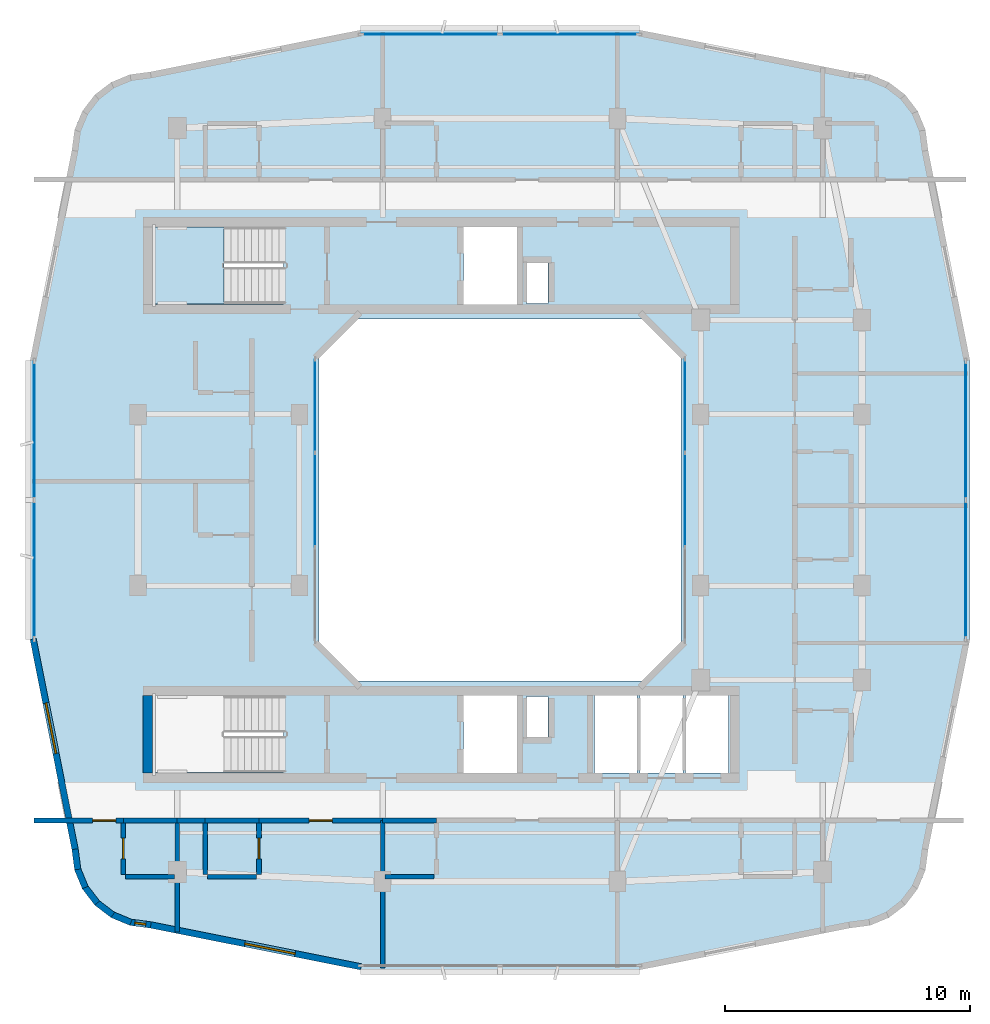
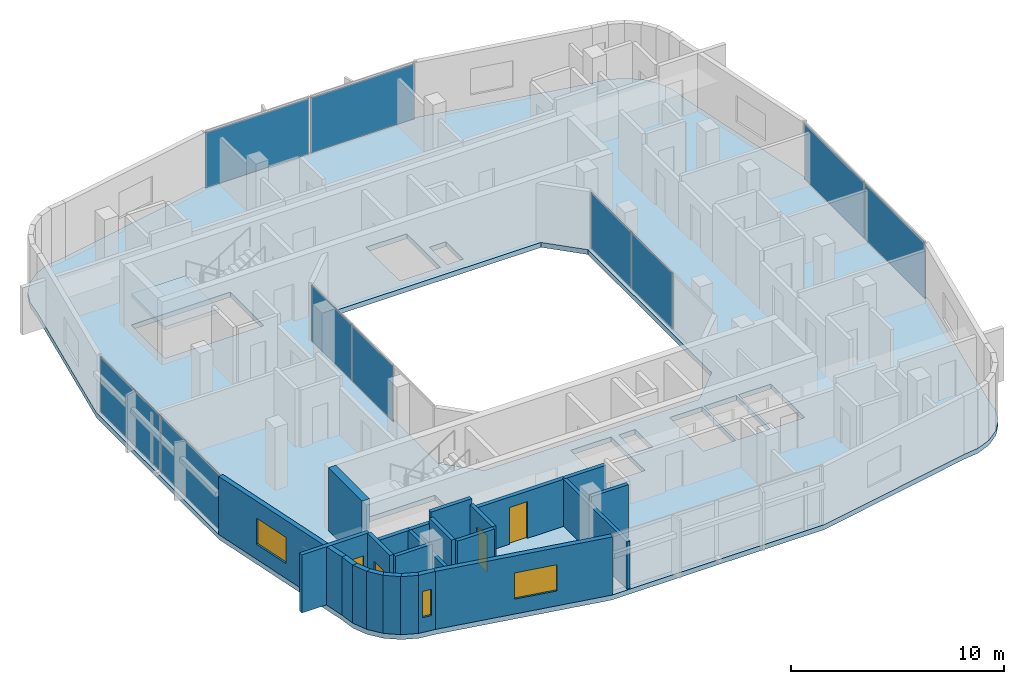
# One storey, part 6 of 14: 23 walls, 10 plates, 4 doors, 3 windows, 2 slabs, 7 openings, 6 elements without a shape of their own.
"""IFC4 building model written with IfcOpenShell, lengths in metres."""

from ifc_helpers import new_model, si_unit, derived_unit, direction, frame, frame_2d, origin, origin_2d, place, context, subcontext, project, spatial, polyline, rectangle, outline, extrude, material, layer, layer_set, type_object, element, fill, aggregate, save


model = new_model("IFC4")

# Units and contexts
model_context = context("Model", 3, precision=1e-05, world=origin(), true_north=direction((0.0, 1.0)))
body_context = subcontext(model_context, "Body", "Model", "MODEL_VIEW")
ifc_project = project(units=[si_unit("LENGTHUNIT", "METRE"), si_unit("AREAUNIT", "SQUARE_METRE"), si_unit("VOLUMEUNIT", "CUBIC_METRE"), si_unit("PLANEANGLEUNIT", "RADIAN"), si_unit("MASSUNIT", "GRAM", prefix="KILO"), derived_unit("THERMALTRANSMITTANCEUNIT", [(si_unit("POWERUNIT", "WATT"), 1), (si_unit("LENGTHUNIT", "METRE"), -2), (si_unit("THERMODYNAMICTEMPERATUREUNIT", "KELVIN"), -1)])], contexts=[model_context])

# Site, building, storey
site_placement = place(None, origin())
site = spatial("IfcSite", under=ifc_project, at=site_placement, CompositionType="ELEMENT")
building_placement = place(site_placement, origin())
building = spatial("IfcBuilding", under=site, at=building_placement, Name="Kivonza Crest Hotel", CompositionType="ELEMENT")
storey_placement = place(building_placement, frame((0.0, 0.0, 224.300048828125)))
storey = spatial("IfcBuildingStorey", under=building, at=storey_placement, Name="L61", CompositionType="ELEMENT", Elevation=224.300048828125)

# Curtain wall, plates
ifc_material_1 = material(Name="Anodised bronze aluminium and low-E double glazing", Category="aluminium")
ifc_layer_1 = layer(ifc_material_1, 0.159912109375)
ifc_layer_set_1 = layer_set([ifc_layer_1], Name="Anodised bronze aluminium and low-E double glazing")
curtain_wall_type_1 = type_object("IfcCurtainWallType", Name="CW-SYS-5", PredefinedType="NOTDEFINED", material=ifc_layer_set_1)
curtain_wall_1_placement = place(storey_placement, origin())
curtain_wall_1 = element("IfcCurtainWall", 1, at=curtain_wall_1_placement, inside=storey, type_object=curtain_wall_type_1, Name="L61 unitised curtain wall CW-WELL-T1-L61-3", PredefinedType="NOTDEFINED")
ifc_material_2 = material(Name="Solar-control low-E double glazing", Category="glass")
ifc_layer_2 = layer(ifc_material_2, 0.028076171875)
ifc_layer_set_2 = layer_set([ifc_layer_2], Name="Solar-control low-E double glazing")
plate_type_1 = type_object("IfcPlateType", Name="CW-PNL-28", PredefinedType="CURTAIN_PANEL", material=ifc_layer_set_2)
plate_1_placement = place(storey_placement, frame((28.56005859375, 25.0, 0.06494140625), z_axis=(0.0, 0.0, 1.0), x_axis=(0.0, 1.0, 0.0)))
plate_1 = element("IfcPlate", 2, at=plate_1_placement, type_object=plate_type_1, Name="CW-5 panel 2.1", PredefinedType="CURTAIN_PANEL", context=body_context, shape_type="SweptSolid", body=[
    extrude(rectangle(XDim=3.8017578125, YDim=0.028076171875, at=origin_2d()), origin(), (0.0, 0.0, 1.0), 3.18994140625),
])
plate_2_placement = place(storey_placement, frame((28.56005859375, 28.850341796875, 0.06494140625), z_axis=(0.0, 0.0, 1.0), x_axis=(0.0, 1.0, 0.0)))
plate_2 = element("IfcPlate", 3, at=plate_2_placement, type_object=plate_type_1, Name="CW-5 panel 3.1", PredefinedType="CURTAIN_PANEL", context=body_context, shape_type="SweptSolid", body=[
    extrude(rectangle(XDim=3.769287109375, YDim=0.028076171875, at=origin_2d()), origin(), (0.0, 0.0, 1.0), 3.18994140625),
])
aggregate(curtain_wall_1, [plate_1, plate_2])

curtain_wall_2_placement = place(storey_placement, origin())
curtain_wall_2 = element("IfcCurtainWall", 4, at=curtain_wall_2_placement, inside=storey, type_object=curtain_wall_type_1, Name="L61 unitised curtain wall CW-WELL-T1-L61-7", PredefinedType="NOTDEFINED")
plate_3_placement = place(storey_placement, frame((13.43994140625, 28.850341796875, 0.06494140625), z_axis=(0.0, 0.0, 1.0), x_axis=(0.0, -1.0, 0.0)))
plate_3 = element("IfcPlate", 5, at=plate_3_placement, type_object=plate_type_1, Name="CW-5 panel 1.1", PredefinedType="CURTAIN_PANEL", context=body_context, shape_type="SweptSolid", body=[
    extrude(rectangle(XDim=3.769287109375, YDim=0.028076171875, at=origin_2d()), origin(), (0.0, 0.0, 1.0), 3.18994140625),
])
plate_4_placement = place(storey_placement, frame((13.43994140625, 25.0, 0.06494140625), z_axis=(0.0, 0.0, 1.0), x_axis=(0.0, -1.0, 0.0)))
plate_4 = element("IfcPlate", 6, at=plate_4_placement, type_object=plate_type_1, Name="CW-5 panel 2.1", PredefinedType="CURTAIN_PANEL", context=body_context, shape_type="SweptSolid", body=[
    extrude(rectangle(XDim=3.8017578125, YDim=0.028076171875, at=origin_2d()), origin(), (0.0, 0.0, 1.0), 3.18994140625),
])
aggregate(curtain_wall_2, [plate_3, plate_4])

ifc_layer_3 = layer(ifc_material_1, 0.179931640625)
ifc_layer_set_3 = layer_set([ifc_layer_3], Name="Anodised bronze aluminium and low-E double glazing")
curtain_wall_type_2 = type_object("IfcCurtainWallType", Name="CW-SYS-3", PredefinedType="NOTDEFINED", material=ifc_layer_set_3)
curtain_wall_3_placement = place(storey_placement, origin())
curtain_wall_3 = element("IfcCurtainWall", 7, at=curtain_wall_3_placement, inside=storey, type_object=curtain_wall_type_2, Name="L61 unitised curtain wall CW-T1-L61-17", PredefinedType="NOTDEFINED")
ifc_material_3 = material(Name="Acoustic triple-laminated low-E glazing", Category="glass")
ifc_layer_4 = layer(ifc_material_3, 0.035888671875)
ifc_layer_set_4 = layer_set([ifc_layer_4], Name="Acoustic triple-laminated low-E glazing")
plate_type_2 = type_object("IfcPlateType", Name="CW-PNL-36", PredefinedType="CURTAIN_PANEL", material=ifc_layer_set_4)
plate_5_placement = place(storey_placement, frame((40.0400390625, 22.15869140625, 0.074951171875), z_axis=(0.0, 0.0, 1.0), x_axis=(0.0, 1.0, 0.0)))
plate_5 = element("IfcPlate", 8, at=plate_5_placement, type_object=plate_type_2, Name="CW-3 panel 1.1", PredefinedType="CURTAIN_PANEL", context=body_context, shape_type="SweptSolid", body=[
    extrude(rectangle(XDim=5.607421875, YDim=0.035888671875, at=origin_2d()), origin(), (0.0, 0.0, 1.0), 3.169921875),
])
plate_6_placement = place(storey_placement, frame((40.0400390625, 27.84130859375, 0.074951171875), z_axis=(0.0, 0.0, 1.0), x_axis=(0.0, 1.0, 0.0)))
plate_6 = element("IfcPlate", 9, at=plate_6_placement, type_object=plate_type_2, Name="CW-3 panel 2.1", PredefinedType="CURTAIN_PANEL", context=body_context, shape_type="SweptSolid", body=[
    extrude(rectangle(XDim=5.607421875, YDim=0.035888671875, at=origin_2d()), origin(), (0.0, 0.0, 1.0), 3.169921875),
])
aggregate(curtain_wall_3, [plate_5, plate_6])

curtain_wall_4_placement = place(storey_placement, origin())
curtain_wall_4 = element("IfcCurtainWall", 10, at=curtain_wall_4_placement, inside=storey, type_object=curtain_wall_type_2, Name="L61 unitised curtain wall CW-T1-L61-26", PredefinedType="NOTDEFINED")
plate_7_placement = place(storey_placement, frame((23.84130859375, 44.0400390625, 0.074951171875), z_axis=(0.0, 0.0, 1.0), x_axis=(-1.0, 0.0, 0.0)))
plate_7 = element("IfcPlate", 11, at=plate_7_placement, type_object=plate_type_2, Name="CW-3 panel 1.1", PredefinedType="CURTAIN_PANEL", context=body_context, shape_type="SweptSolid", body=[
    extrude(rectangle(XDim=5.607421875, YDim=0.035888671875, at=origin_2d()), origin(), (0.0, 0.0, 1.0), 3.169921875),
])
plate_8_placement = place(storey_placement, frame((18.15869140625, 44.0400390625, 0.074951171875), z_axis=(0.0, 0.0, 1.0), x_axis=(-1.0, 0.0, 0.0)))
plate_8 = element("IfcPlate", 12, at=plate_8_placement, type_object=plate_type_2, Name="CW-3 panel 2.1", PredefinedType="CURTAIN_PANEL", context=body_context, shape_type="SweptSolid", body=[
    extrude(rectangle(XDim=5.607421875, YDim=0.035888671875, at=origin_2d()), origin(), (0.0, 0.0, 1.0), 3.169921875),
])
aggregate(curtain_wall_4, [plate_7, plate_8])

curtain_wall_5_placement = place(storey_placement, origin())
curtain_wall_5 = element("IfcCurtainWall", 13, at=curtain_wall_5_placement, inside=storey, type_object=curtain_wall_type_2, Name="L61 unitised curtain wall CW-T1-L61-35", PredefinedType="NOTDEFINED")
plate_9_placement = place(storey_placement, frame((1.9599609375, 27.84130859375, 0.074951171875), z_axis=(0.0, 0.0, 1.0), x_axis=(0.0, -1.0, 0.0)))
plate_9 = element("IfcPlate", 14, at=plate_9_placement, type_object=plate_type_2, Name="CW-3 panel 1.1", PredefinedType="CURTAIN_PANEL", context=body_context, shape_type="SweptSolid", body=[
    extrude(rectangle(XDim=5.607421875, YDim=0.035888671875, at=origin_2d()), origin(), (0.0, 0.0, 1.0), 3.169921875),
])
plate_10_placement = place(storey_placement, frame((1.9599609375, 22.15869140625, 0.074951171875), z_axis=(0.0, 0.0, 1.0), x_axis=(0.0, -1.0, 0.0)))
plate_10 = element("IfcPlate", 15, at=plate_10_placement, type_object=plate_type_2, Name="CW-3 panel 2.1", PredefinedType="CURTAIN_PANEL", context=body_context, shape_type="SweptSolid", body=[
    extrude(rectangle(XDim=5.607421875, YDim=0.035888671875, at=origin_2d()), origin(), (0.0, 0.0, 1.0), 3.169921875),
])
aggregate(curtain_wall_5, [plate_9, plate_10])

# Slab
ifc_material_4 = material(Name="Concrete C40/50", Category="concrete")
ifc_layer_5 = layer(ifc_material_4, 0.280029296875)
ifc_layer_set_5 = layer_set([ifc_layer_5], Name="Concrete C40/50")
slab_type_1 = type_object("IfcSlabType", Name="SL-HTL-280", PredefinedType="FLOOR", material=ifc_layer_set_5)
slab_1_placement = place(storey_placement, frame((0.0, 0.0, -0.280029296875)))
element("IfcSlab", 16, at=slab_1_placement, inside=storey, type_object=slab_type_1, Name="Tower T1 L61 floor slab", PredefinedType="FLOOR", context=body_context, shape_type="SweptSolid", body=[
    extrude(outline(polyline([(3.5, 10.699951171875), (3.60888671875, 9.8720703125), (3.928955078125, 9.10009765625), (4.43701171875, 8.43701171875), (5.10009765625, 7.928955078125), (5.8720703125, 7.60888671875), (6.699951171875, 7.5), (15.239990234375, 5.800048828125), (26.760009765625, 5.800048828125), (35.300048828125, 7.5), (36.1279296875, 7.60888671875), (36.89990234375, 7.928955078125), (37.56298828125, 8.43701171875), (38.071044921875, 9.10009765625), (38.39111328125, 9.8720703125), (38.5, 10.699951171875), (40.199951171875, 19.239990234375), (40.199951171875, 30.760009765625), (38.5, 39.300048828125), (38.39111328125, 40.1279296875), (38.071044921875, 40.89990234375), (37.56298828125, 41.56298828125), (36.89990234375, 42.071044921875), (36.1279296875, 42.39111328125), (35.300048828125, 42.5), (26.760009765625, 44.199951171875), (15.239990234375, 44.199951171875), (6.699951171875, 42.5), (5.8720703125, 42.39111328125), (5.10009765625, 42.071044921875), (4.43701171875, 41.56298828125), (3.928955078125, 40.89990234375), (3.60888671875, 40.1279296875), (3.5, 39.300048828125), (1.800048828125, 30.760009765625), (1.800048828125, 19.239990234375), (3.5, 10.699951171875)]), holes=[polyline([(15.199951171875, 17.60009765625), (26.800048828125, 17.60009765625), (28.39990234375, 19.199951171875), (28.39990234375, 30.800048828125), (26.800048828125, 32.39990234375), (15.199951171875, 32.39990234375), (13.60009765625, 30.800048828125), (13.60009765625, 19.199951171875), (15.199951171875, 17.60009765625)]), polyline([(6.800048828125, 33.02001953125), (12.159912109375, 33.02001953125), (12.159912109375, 36.159912109375), (6.800048828125, 36.159912109375), (6.800048828125, 33.02001953125)]), polyline([(6.800048828125, 13.860107421875), (12.159912109375, 13.860107421875), (12.159912109375, 17.0), (6.800048828125, 17.0), (6.800048828125, 13.860107421875)]), polyline([(22.080078125, 33.0400390625), (22.969970703125, 33.0400390625), (22.969970703125, 34.679931640625), (22.080078125, 34.679931640625), (22.080078125, 33.0400390625)]), polyline([(22.080078125, 15.320068359375), (22.969970703125, 15.320068359375), (22.969970703125, 16.9599609375), (22.080078125, 16.9599609375), (22.080078125, 15.320068359375)]), polyline([(19.5, 33.0), (21.699951171875, 33.0), (21.699951171875, 36.159912109375), (19.5, 36.159912109375), (19.5, 33.0)]), polyline([(19.5, 13.840087890625), (21.699951171875, 13.840087890625), (21.699951171875, 17.0), (19.5, 17.0), (19.5, 13.840087890625)]), polyline([(24.860107421875, 13.840087890625), (26.60693359375, 13.840087890625), (26.60693359375, 17.0), (24.860107421875, 17.0), (24.860107421875, 13.840087890625)]), polyline([(26.72705078125, 13.840087890625), (28.472900390625, 13.840087890625), (28.472900390625, 17.0), (26.72705078125, 17.0), (26.72705078125, 13.840087890625)]), polyline([(28.593017578125, 13.840087890625), (30.340087890625, 13.840087890625), (30.340087890625, 17.0), (28.593017578125, 17.0), (28.593017578125, 13.840087890625)])]), origin(), (0.0, 0.0, 1.0), 0.280029296875),
])

# Stair, slab
stair_type = type_object("IfcStairType", Name="ST-DL-20R", PredefinedType="HALF_TURN_STAIR", material=ifc_material_4)
stair_placement = place(storey_placement, origin())
stair = element("IfcStair", 17, at=stair_placement, inside=storey, type_object=stair_type, Name="L61 Protected Exit Stair ST-T1-N", PredefinedType="HALF_TURN_STAIR")
ifc_layer_6 = layer(ifc_material_4, 0.199951171875)
ifc_layer_set_6 = layer_set([ifc_layer_6], Name="Concrete C40/50")
slab_type_2 = type_object("IfcSlabType", Name="SL-LAND-200", PredefinedType="LANDING", material=ifc_layer_set_6)
slab_2_placement = place(storey_placement, frame((0.0, 0.0, 1.599853515625)))
slab_2 = element("IfcSlab", 18, at=slab_2_placement, type_object=slab_type_2, Name="ST-T1-N landing 1", PredefinedType="LANDING", context=body_context, shape_type="SweptSolid", body=[
    extrude(outline(polyline([(9.719970703125, 36.159912109375), (6.800048828125, 36.159912109375), (6.800048828125, 33.02001953125), (9.719970703125, 33.02001953125), (9.719970703125, 36.159912109375)])), origin(), (0.0, 0.0, 1.0), 0.2001953125),
])
aggregate(stair, [slab_2])

# Walls
ifc_material_5 = material(Name="High-density acoustic masonry inter-tenancy wall", Category="masonry")
ifc_layer_7 = layer(ifc_material_5, 0.179931640625)
ifc_layer_set_7 = layer_set([ifc_layer_7], Name="High-density acoustic masonry inter-tenancy wall")
wall_type_1 = type_object("IfcWallType", Name="WL-ACOU-180", PredefinedType="SOLIDWALL", material=ifc_layer_set_7)
wall_1_placement = place(storey_placement, frame((7.800048828125, 7.342041015625, 0.0), z_axis=(0.0, 0.0, 1.0), x_axis=(0.0, 1.0, 0.0)))
element("IfcWall", 19, at=wall_1_placement, inside=storey, type_object=wall_type_1, Name="L61 interior partition WA-L61-T1S-DIV1", PredefinedType="SOLIDWALL", context=body_context, shape_type="SweptSolid", body=[
    extrude(rectangle(XDim=4.557861328125, YDim=0.179931640625, at=frame_2d((2.27880859375, 0.0))), origin(), (0.0, 0.0, 1.0), 2.695068359375),
])
wall_2_placement = place(storey_placement, frame((16.199951171875, 5.860107421875, 0.0), z_axis=(0.0, 0.0, 1.0), x_axis=(0.0, 1.0, 0.0)))
element("IfcWall", 20, at=wall_2_placement, inside=storey, type_object=wall_type_1, Name="L61 interior partition WA-L61-T1S-DIV2", PredefinedType="SOLIDWALL", context=body_context, shape_type="SweptSolid", body=[
    extrude(rectangle(XDim=6.039794921875, YDim=0.179931640625, at=frame_2d((3.02001953125, 0.0))), origin(), (0.0, 0.0, 1.0), 2.695068359375),
])
ifc_material_6 = material(Name="Autoclaved aerated concrete blockwork", Category="masonry")
ifc_layer_8 = layer(ifc_material_6, 0.219970703125)
ifc_layer_set_8 = layer_set([ifc_layer_8], Name="Autoclaved aerated concrete blockwork")
wall_type_2 = type_object("IfcWallType", Name="WL-ACOU-220", PredefinedType="SOLIDWALL", material=ifc_layer_set_8)
wall_3_placement = place(storey_placement, frame((5.60009765625, 11.89990234375, 0.0), z_axis=(0.0, 0.0, 1.0), x_axis=(1.0, 0.0, 0.0)))
element("IfcWall", 21, at=wall_3_placement, inside=storey, type_object=wall_type_2, Name="L61 interior partition WA-L61-S05-BCORR", PredefinedType="SOLIDWALL", context=body_context, shape_type="SweptSolid", body=[
    extrude(rectangle(XDim=2.199951171875, YDim=0.219970703125, at=frame_2d((1.10009765625, 0.0))), origin(), (0.0, 0.0, 1.0), 2.695068359375),
])

# Wall, opening, door
wall_4_placement = place(storey_placement, frame((1.9599609375, 11.89990234375, 0.0), z_axis=(0.0, 0.0, 1.0), x_axis=(1.0, 0.0, 0.0)))
wall_4 = element("IfcWall", 22, at=wall_4_placement, inside=storey, type_object=wall_type_2, Name="L61 interior partition WA-L61-S05-MCORR", PredefinedType="SOLIDWALL", context=body_context, shape_type="SweptSolid", body=[
    extrude(rectangle(XDim=3.64013671875, YDim=0.219970703125, at=frame_2d((1.820068359375, 0.0))), origin(), (0.0, 0.0, 1.0), 3.320068359375),
])
opening_1_placement = place(wall_4_placement, frame((2.389892578125, 0.0, 0.0)))
opening_1 = element("IfcOpeningElement", 23, at=opening_1_placement, cuts=wall_4, Name="Opening DU-60", PredefinedType="OPENING", context=body_context, shape_type="SweptSolid", body=[
    extrude(rectangle(XDim=0.949951171875, YDim=2.10009765625, at=frame_2d((0.47509765625, 1.050048828125))), frame((0.0, 0.1201171875, 0.0), z_axis=(0.0, -1.0, 0.0), x_axis=(1.0, 0.0, 0.0)), (0.0, 0.0, 1.0), 0.239990234375),
])
ifc_material_7 = material(Name="Hardwood timber oak", Category="wood")
door_type_1 = type_object("IfcDoorType", Name="DR-UNIT-950", OperationType="NOTDEFINED", PredefinedType="DOOR", material=ifc_material_7)
door_1_placement = place(opening_1_placement, frame((0.949951171875, 0.0, 0.0), z_axis=(0.0, 0.0, 1.0), x_axis=(-1.0, 0.0, 0.0)))
door_1 = element("IfcDoor", 24, at=door_1_placement, inside=storey, type_object=door_type_1, Name="L61 S05 guest unit entrance fire door", OperationType="SINGLE_SWING_LEFT", OverallHeight=2.10009765625, OverallWidth=0.949951171875, PredefinedType="DOOR", context=body_context, shape_type="SweptSolid", body=[
    extrude(rectangle(XDim=0.949951171875, YDim=2.10009765625, at=frame_2d((0.47509765625, 1.050048828125))), frame((0.0, 0.02490234375, 0.0), z_axis=(0.0, -1.0, 0.0), x_axis=(1.0, 0.0, 0.0)), (0.0, 0.0, 1.0), 0.050048828125),
])
fill(opening_1, door_1)

# Walls
wall_5_placement = place(storey_placement, frame((7.800048828125, 11.89990234375, 0.0), z_axis=(0.0, 0.0, 1.0), x_axis=(1.0, 0.0, 0.0)))
element("IfcWall", 25, at=wall_5_placement, inside=storey, type_object=wall_type_2, Name="L61 interior partition WA-L61-S06-XCORR", PredefinedType="SOLIDWALL", context=body_context, shape_type="SweptSolid", body=[
    extrude(rectangle(XDim=1.14990234375, YDim=0.219970703125, at=frame_2d((0.574951171875, 0.0))), origin(), (0.0, 0.0, 1.0), 2.695068359375),
])
wall_6_placement = place(storey_placement, frame((8.949951171875, 11.89990234375, 0.0), z_axis=(0.0, 0.0, 1.0), x_axis=(1.0, 0.0, 0.0)))
element("IfcWall", 26, at=wall_6_placement, inside=storey, type_object=wall_type_2, Name="L61 interior partition WA-L61-S06-BCORR", PredefinedType="SOLIDWALL", context=body_context, shape_type="SweptSolid", body=[
    extrude(rectangle(XDim=2.199951171875, YDim=0.219970703125, at=frame_2d((1.10009765625, 0.0))), origin(), (0.0, 0.0, 1.0), 3.320068359375),
])

# Wall, opening, door
wall_7_placement = place(storey_placement, frame((11.14990234375, 11.89990234375, 0.0), z_axis=(0.0, 0.0, 1.0), x_axis=(1.0, 0.0, 0.0)))
wall_7 = element("IfcWall", 27, at=wall_7_placement, inside=storey, type_object=wall_type_2, Name="L61 interior partition WA-L61-S06-MCORR", PredefinedType="SOLIDWALL", context=body_context, shape_type="SweptSolid", body=[
    extrude(rectangle(XDim=5.050048828125, YDim=0.219970703125, at=frame_2d((2.52490234375, 0.0))), origin(), (0.0, 0.0, 1.0), 2.695068359375),
])
opening_2_placement = place(wall_7_placement, frame((2.050048828125, 0.0, 0.0)))
opening_2 = element("IfcOpeningElement", 28, at=opening_2_placement, cuts=wall_7, Name="Opening DU-60", PredefinedType="OPENING", context=body_context, shape_type="SweptSolid", body=[
    extrude(rectangle(XDim=0.949951171875, YDim=2.10009765625, at=frame_2d((0.47509765625, 1.050048828125))), frame((0.0, 0.1201171875, 0.0), z_axis=(0.0, -1.0, 0.0), x_axis=(1.0, 0.0, 0.0)), (0.0, 0.0, 1.0), 0.239990234375),
])
door_2_placement = place(opening_2_placement, frame((0.949951171875, 0.0, 0.0), z_axis=(0.0, 0.0, 1.0), x_axis=(-1.0, 0.0, 0.0)))
door_2 = element("IfcDoor", 29, at=door_2_placement, inside=storey, type_object=door_type_1, Name="L61 S06 guest unit entrance fire door", OperationType="SINGLE_SWING_RIGHT", OverallHeight=2.10009765625, OverallWidth=0.949951171875, PredefinedType="DOOR", context=body_context, shape_type="SweptSolid", body=[
    extrude(rectangle(XDim=0.949951171875, YDim=2.10009765625, at=frame_2d((0.47509765625, 1.050048828125))), frame((0.0, 0.02490234375, 0.0), z_axis=(0.0, -1.0, 0.0), x_axis=(1.0, 0.0, 0.0)), (0.0, 0.0, 1.0), 0.050048828125),
])
fill(opening_2, door_2)

# Walls
wall_8_placement = place(storey_placement, frame((16.199951171875, 11.89990234375, 0.0), z_axis=(0.0, 0.0, 1.0), x_axis=(1.0, 0.0, 0.0)))
element("IfcWall", 30, at=wall_8_placement, inside=storey, type_object=wall_type_2, Name="L61 interior partition WA-L61-S07-BCORR", PredefinedType="SOLIDWALL", context=body_context, shape_type="SweptSolid", body=[
    extrude(rectangle(XDim=2.199951171875, YDim=0.219970703125, at=frame_2d((1.10009765625, 0.0))), origin(), (0.0, 0.0, 1.0), 2.695068359375),
])
ifc_material_8 = material(Name="Concrete C50/60", Category="concrete")
ifc_layer_9 = layer(ifc_material_8, 0.39990234375)
ifc_layer_set_9 = layer_set([ifc_layer_9], Name="Concrete C50/60")
wall_type_3 = type_object("IfcWallType", Name="WL-CORE-400", PredefinedType="SHEAR", material=ifc_layer_set_9)
wall_9_placement = place(storey_placement, frame((6.60009765625, 13.840087890625, 0.0), z_axis=(0.0, 0.0, 1.0), x_axis=(0.0, 1.0, 0.0)))
element("IfcWall", 31, at=wall_9_placement, inside=storey, type_object=wall_type_3, Name="Core wall T1-S West L61", PredefinedType="SHEAR", context=body_context, shape_type="SweptSolid", body=[
    extrude(rectangle(XDim=3.159912109375, YDim=0.39990234375, at=frame_2d((1.580078125, 0.0))), origin(), (0.0, 0.0, 1.0), 3.599853515625),
])
ifc_material_9 = material(Name="Precast concrete C40/50", Category="concrete")
ifc_layer_10 = layer(ifc_material_9, 0.260009765625)
ifc_layer_set_10 = layer_set([ifc_layer_10], Name="Precast concrete C40/50")
wall_type_4 = type_object("IfcWallType", Name="WL-EXT-260", PredefinedType="STANDARD", material=ifc_layer_set_10)
wall_10_placement = place(storey_placement, frame((3.6279296875, 10.72509765625, 0.0), z_axis=(0.0, 0.0, 1.0), x_axis=(0.130954667764, -0.9913883573, 0.0)))
element("IfcWall", 32, at=wall_10_placement, inside=storey, type_object=wall_type_4, Name="L61 T1 exterior insulated wall 1", PredefinedType="STANDARD", context=body_context, shape_type="SweptSolid", body=[
    extrude(rectangle(XDim=0.833251953125, YDim=0.260009765625, at=frame_2d((0.41650390625, 0.0))), origin(), (0.0, 0.0, 1.0), 3.320068359375),
])
wall_11_placement = place(storey_placement, frame((3.718994140625, 9.945068359375, 0.0), z_axis=(0.0, 0.0, 1.0), x_axis=(0.382985169477, -0.923754491172, 0.0)))
element("IfcWall", 33, at=wall_11_placement, inside=storey, type_object=wall_type_4, Name="L61 T1 exterior insulated wall 2", PredefinedType="STANDARD", context=body_context, shape_type="SweptSolid", body=[
    extrude(rectangle(XDim=0.85107421875, YDim=0.260009765625, at=frame_2d((0.425537109375, 0.0))), origin(), (0.0, 0.0, 1.0), 3.320068359375),
])
for number, where, z_axis, x_axis, name in (
    (34, (4.01708984375, 9.198974609375, 0.0), (0.0, 0.0, 1.0), (0.607918988881, -0.793999057278, 0.0), "L61 T1 exterior insulated wall 3"),
    (35, (4.49609375, 8.554931640625, 0.0), (0.0, 0.0, 1.0), (0.793892896323, -0.608057619941, 0.0), "L61 T1 exterior insulated wall 4"),
):
    element("IfcWall", number, at=place(storey_placement, frame(where, z_axis=z_axis, x_axis=x_axis)), inside=storey, type_object=wall_type_4, Name=name, PredefinedType="STANDARD", context=body_context, shape_type="SweptSolid", body=[
        extrude(rectangle(XDim=0.85009765625, YDim=0.260009765625, at=frame_2d((0.425048828125, 0.0))), origin(), (0.0, 0.0, 1.0), 3.320068359375),
    ])
wall_12_placement = place(storey_placement, frame((5.126953125, 8.05908203125, 0.0), z_axis=(0.0, 0.0, 1.0), x_axis=(0.923652976167, -0.383229930484, 0.0)))
element("IfcWall", 36, at=wall_12_placement, inside=storey, type_object=wall_type_4, Name="L61 T1 exterior insulated wall 5", PredefinedType="STANDARD", context=body_context, shape_type="SweptSolid", body=[
    extrude(rectangle(XDim=0.85107421875, YDim=0.260009765625, at=frame_2d((0.425537109375, 0.0))), origin(), (0.0, 0.0, 1.0), 3.320068359375),
])

# Wall, opening, window
wall_13_placement = place(storey_placement, frame((5.864013671875, 7.740966796875, 0.0), z_axis=(0.0, 0.0, 1.0), x_axis=(0.991493480548, -0.130156359936, 0.0)))
wall_13 = element("IfcWall", 37, at=wall_13_placement, inside=storey, type_object=wall_type_4, Name="L61 T1 exterior insulated wall 6", PredefinedType="STANDARD", context=body_context, shape_type="SweptSolid", body=[
    extrude(rectangle(XDim=0.868408203125, YDim=0.260009765625, at=frame_2d((0.43408203125, 0.0))), origin(), (0.0, 0.0, 1.0), 3.320068359375),
])
opening_3_placement = place(wall_13_placement, frame((0.208984375, 0.0, 0.85009765625)))
opening_3 = element("IfcOpeningElement", 38, at=opening_3_placement, cuts=wall_13, Name="Opening WN-11", PredefinedType="OPENING", context=body_context, shape_type="SweptSolid", body=[
    extrude(rectangle(XDim=0.449951171875, YDim=1.5, at=frame_2d((0.22509765625, 0.75))), frame((0.0, 0.14013671875, 0.0), z_axis=(0.0, -1.0, 0.0), x_axis=(1.0, 0.0, 0.0)), (0.0, 0.0, 1.0), 0.280029296875),
])
ifc_material_10 = material(Name="Thermally broken bronze aluminium and low-E double glazing", Category="aluminium")
window_type_1 = type_object("IfcWindowType", Name="WN-045x150", PartitioningType="SINGLE_PANEL", PredefinedType="WINDOW", material=ifc_material_10)
window_1_placement = place(opening_3_placement, origin())
window_1 = element("IfcWindow", 39, at=window_1_placement, inside=storey, type_object=window_type_1, Name="L61 corner vision window 2", OverallHeight=1.5, OverallWidth=0.449951171875, PartitioningType="SINGLE_PANEL", PredefinedType="WINDOW", context=body_context, shape_type="SweptSolid", body=[
    extrude(rectangle(XDim=0.449951171875, YDim=1.5, at=frame_2d((0.22509765625, 0.75))), frame((0.0, 0.030029296875, 0.0), z_axis=(0.0, -1.0, 0.0), x_axis=(1.0, 0.0, 0.0)), (0.0, 0.0, 1.0), 0.06005859375),
])
fill(opening_3, window_1)

wall_14_placement = place(storey_placement, frame((6.717041015625, 7.62890625, 0.0), z_axis=(0.0, 0.0, 1.0), x_axis=(0.980745199176, -0.195291715883, 0.0)))
wall_14 = element("IfcWall", 40, at=wall_14_placement, inside=storey, type_object=wall_type_4, Name="L61 T1 exterior insulated wall 7", PredefinedType="STANDARD", context=body_context, shape_type="SweptSolid", body=[
    extrude(rectangle(XDim=8.77099609375, YDim=0.260009765625, at=frame_2d((4.385498046875, 0.0))), origin(), (0.0, 0.0, 1.0), 3.320068359375),
])
opening_4_placement = place(wall_14_placement, frame((3.925048828125, 0.0, 0.85009765625)))
opening_4 = element("IfcOpeningElement", 41, at=opening_4_placement, cuts=wall_14, Name="Opening WN-04", PredefinedType="OPENING", context=body_context, shape_type="SweptSolid", body=[
    extrude(rectangle(XDim=2.10009765625, YDim=1.5, at=frame_2d((1.050048828125, 0.75))), frame((0.0, 0.14013671875, 0.0), z_axis=(0.0, -1.0, 0.0), x_axis=(1.0, 0.0, 0.0)), (0.0, 0.0, 1.0), 0.280029296875),
])
window_type_2 = type_object("IfcWindowType", Name="WN-210x150", PartitioningType="DOUBLE_PANEL_VERTICAL", PredefinedType="WINDOW", material=ifc_material_10)
window_2_placement = place(opening_4_placement, origin())
window_2 = element("IfcWindow", 42, at=window_2_placement, inside=storey, type_object=window_type_2, Name="L61 T1 facade window 7", OverallHeight=1.5, OverallWidth=2.10009765625, PartitioningType="SINGLE_PANEL", PredefinedType="WINDOW", context=body_context, shape_type="SweptSolid", body=[
    extrude(rectangle(XDim=2.10009765625, YDim=1.5, at=frame_2d((1.050048828125, 0.75))), frame((0.0, 0.030029296875, 0.0), z_axis=(0.0, -1.0, 0.0), x_axis=(1.0, 0.0, 0.0)), (0.0, 0.0, 1.0), 0.06005859375),
])
fill(opening_4, window_2)

wall_15_placement = place(storey_placement, frame((1.916015625, 19.319091796875, 0.0), z_axis=(0.0, 0.0, 1.0), x_axis=(0.195291715883, -0.980745199176, 0.0)))
wall_15 = element("IfcWall", 43, at=wall_15_placement, inside=storey, type_object=wall_type_4, Name="L61 T1 exterior insulated wall 36", PredefinedType="STANDARD", context=body_context, shape_type="SweptSolid", body=[
    extrude(rectangle(XDim=8.77099609375, YDim=0.260009765625, at=frame_2d((4.385498046875, 0.0))), origin(), (0.0, 0.0, 1.0), 3.320068359375),
])
opening_5_placement = place(wall_15_placement, frame((2.669921875, 0.0, 0.85009765625)))
opening_5 = element("IfcOpeningElement", 44, at=opening_5_placement, cuts=wall_15, Name="Opening WN-04", PredefinedType="OPENING", context=body_context, shape_type="SweptSolid", body=[
    extrude(rectangle(XDim=2.10009765625, YDim=1.5, at=frame_2d((1.050048828125, 0.75))), frame((0.0, 0.14013671875, 0.0), z_axis=(0.0, -1.0, 0.0), x_axis=(1.0, 0.0, 0.0)), (0.0, 0.0, 1.0), 0.280029296875),
])
window_3_placement = place(opening_5_placement, origin())
window_3 = element("IfcWindow", 45, at=window_3_placement, inside=storey, type_object=window_type_2, Name="L61 T1 facade window 36", OverallHeight=1.5, OverallWidth=2.10009765625, PartitioningType="SINGLE_PANEL", PredefinedType="WINDOW", context=body_context, shape_type="SweptSolid", body=[
    extrude(rectangle(XDim=2.10009765625, YDim=1.5, at=frame_2d((1.050048828125, 0.75))), frame((0.0, 0.030029296875, 0.0), z_axis=(0.0, -1.0, 0.0), x_axis=(1.0, 0.0, 0.0)), (0.0, 0.0, 1.0), 0.06005859375),
])
fill(opening_5, window_3)

# Wall, opening, door
ifc_material_11 = material(Name="Moisture-resistant plumbing chase partition wall", Category="gypsum")
ifc_layer_11 = layer(ifc_material_11, 0.199951171875)
ifc_layer_set_11 = layer_set([ifc_layer_11], Name="Moisture-resistant plumbing chase partition wall")
wall_type_5 = type_object("IfcWallType", Name="WL-PLUMB-200", PredefinedType="PLUMBINGWALL", material=ifc_layer_set_11)
wall_16_placement = place(storey_placement, frame((5.60009765625, 9.699951171875, 0.0), z_axis=(0.0, 0.0, 1.0), x_axis=(0.0, 1.0, 0.0)))
wall_16 = element("IfcWall", 46, at=wall_16_placement, inside=storey, type_object=wall_type_5, Name="L61 interior partition WW-L61-S05-BV", PredefinedType="PLUMBINGWALL", context=body_context, shape_type="SweptSolid", body=[
    extrude(rectangle(XDim=2.10009765625, YDim=0.199951171875, at=frame_2d((1.050048828125, 0.0))), origin(), (0.0, 0.0, 1.0), 3.320068359375),
])
opening_6_placement = place(wall_16_placement, frame((0.625, 0.0, 0.0)))
opening_6 = element("IfcOpeningElement", 47, at=opening_6_placement, cuts=wall_16, Name="Opening DI-85", PredefinedType="OPENING", context=body_context, shape_type="SweptSolid", body=[
    extrude(rectangle(XDim=0.85009765625, YDim=2.10009765625, at=frame_2d((0.425048828125, 1.050048828125))), frame((0.0, 0.10986328125, 0.0), z_axis=(0.0, -1.0, 0.0), x_axis=(1.0, 0.0, 0.0)), (0.0, 0.0, 1.0), 0.219970703125),
])
door_type_2 = type_object("IfcDoorType", Name="DR-INT-850", OperationType="NOTDEFINED", PredefinedType="DOOR", material=ifc_material_7)
door_3_placement = place(opening_6_placement, origin())
door_3 = element("IfcDoor", 48, at=door_3_placement, inside=storey, type_object=door_type_2, Name="L61 S05 en-suite bathroom door", OperationType="SINGLE_SWING_RIGHT", OverallHeight=2.10009765625, OverallWidth=0.85009765625, PredefinedType="DOOR", context=body_context, shape_type="SweptSolid", body=[
    extrude(rectangle(XDim=0.85009765625, YDim=2.10009765625, at=frame_2d((0.425048828125, 1.050048828125))), frame((0.0, 0.02490234375, 0.0), z_axis=(0.0, -1.0, 0.0), x_axis=(1.0, 0.0, 0.0)), (0.0, 0.0, 1.0), 0.050048828125),
])
fill(opening_6, door_3)

# Wall
wall_17_placement = place(storey_placement, frame((5.699951171875, 9.60009765625, 0.0), z_axis=(0.0, 0.0, 1.0), x_axis=(1.0, 0.0, 0.0)))
element("IfcWall", 49, at=wall_17_placement, inside=storey, type_object=wall_type_5, Name="L61 interior partition WW-L61-S05-BH", PredefinedType="PLUMBINGWALL", context=body_context, shape_type="SweptSolid", body=[
    extrude(rectangle(XDim=2.0, YDim=0.199951171875, at=frame_2d((1.0, 0.0))), origin(), (0.0, 0.0, 1.0), 3.320068359375),
])

# Wall, opening, door
wall_18_placement = place(storey_placement, frame((11.14990234375, 9.699951171875, 0.0), z_axis=(0.0, 0.0, 1.0), x_axis=(0.0, 1.0, 0.0)))
wall_18 = element("IfcWall", 50, at=wall_18_placement, inside=storey, type_object=wall_type_5, Name="L61 interior partition WW-L61-S06-BV", PredefinedType="PLUMBINGWALL", context=body_context, shape_type="SweptSolid", body=[
    extrude(rectangle(XDim=2.10009765625, YDim=0.199951171875, at=frame_2d((1.050048828125, 0.0))), origin(), (0.0, 0.0, 1.0), 3.014892578125),
])
opening_7_placement = place(wall_18_placement, frame((0.625, 0.0, 0.0)))
opening_7 = element("IfcOpeningElement", 51, at=opening_7_placement, cuts=wall_18, Name="Opening DI-85", PredefinedType="OPENING", context=body_context, shape_type="SweptSolid", body=[
    extrude(rectangle(XDim=0.85009765625, YDim=2.10009765625, at=frame_2d((0.425048828125, 1.050048828125))), frame((0.0, 0.10986328125, 0.0), z_axis=(0.0, -1.0, 0.0), x_axis=(1.0, 0.0, 0.0)), (0.0, 0.0, 1.0), 0.219970703125),
])
door_4_placement = place(opening_7_placement, frame((0.85009765625, 0.0, 0.0), z_axis=(0.0, 0.0, 1.0), x_axis=(-1.0, 0.0, 0.0)))
door_4 = element("IfcDoor", 52, at=door_4_placement, inside=storey, type_object=door_type_2, Name="L61 S06 en-suite bathroom door", OperationType="SINGLE_SWING_LEFT", OverallHeight=2.10009765625, OverallWidth=0.85009765625, PredefinedType="DOOR", context=body_context, shape_type="SweptSolid", body=[
    extrude(rectangle(XDim=0.85009765625, YDim=2.10009765625, at=frame_2d((0.425048828125, 1.050048828125))), frame((0.0, 0.02490234375, 0.0), z_axis=(0.0, -1.0, 0.0), x_axis=(1.0, 0.0, 0.0)), (0.0, 0.0, 1.0), 0.050048828125),
])
fill(opening_7, door_4)

# Walls
wall_19_placement = place(storey_placement, frame((9.050048828125, 9.60009765625, 0.0), z_axis=(0.0, 0.0, 1.0), x_axis=(1.0, 0.0, 0.0)))
element("IfcWall", 53, at=wall_19_placement, inside=storey, type_object=wall_type_5, Name="L61 interior partition WW-L61-S06-BH", PredefinedType="PLUMBINGWALL", context=body_context, shape_type="SweptSolid", body=[
    extrude(rectangle(XDim=2.0, YDim=0.199951171875, at=frame_2d((1.0, 0.0))), origin(), (0.0, 0.0, 1.0), 3.014892578125),
])
wall_20_placement = place(storey_placement, frame((8.949951171875, 9.699951171875, 0.0), z_axis=(0.0, 0.0, 1.0), x_axis=(0.0, 1.0, 0.0)))
element("IfcWall", 54, at=wall_20_placement, inside=storey, type_object=wall_type_5, Name="L61 interior partition WW-L61-S06-BVW", PredefinedType="PLUMBINGWALL", context=body_context, shape_type="SweptSolid", body=[
    extrude(rectangle(XDim=2.10009765625, YDim=0.199951171875, at=frame_2d((1.050048828125, 0.0))), origin(), (0.0, 0.0, 1.0), 3.014892578125),
])
wall_21_placement = place(storey_placement, frame((16.300048828125, 9.60009765625, 0.0), z_axis=(0.0, 0.0, 1.0), x_axis=(1.0, 0.0, 0.0)))
element("IfcWall", 55, at=wall_21_placement, inside=storey, type_object=wall_type_5, Name="L61 interior partition WW-L61-S07-BH", PredefinedType="PLUMBINGWALL", context=body_context, shape_type="SweptSolid", body=[
    extrude(rectangle(XDim=2.0, YDim=0.199951171875, at=frame_2d((1.0, 0.0))), origin(), (0.0, 0.0, 1.0), 3.014892578125),
])

save(model, "model.ifc")
